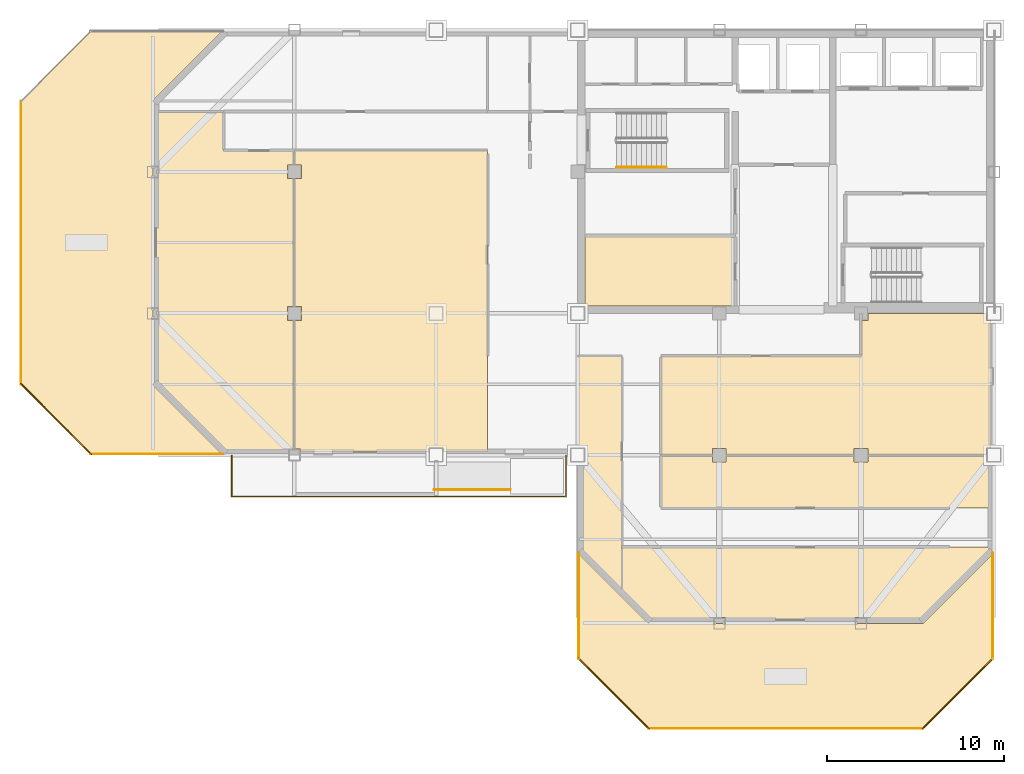
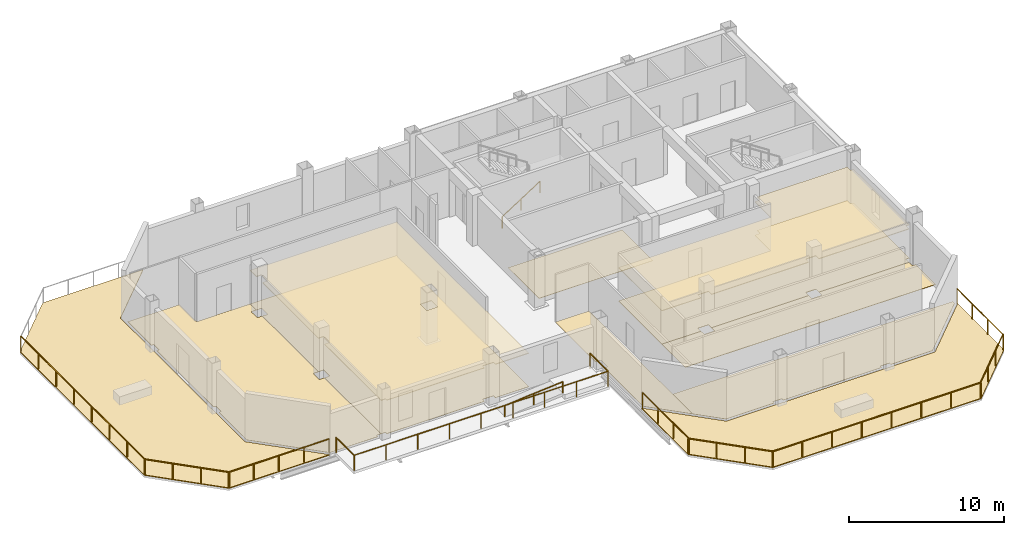
# One storey, part 5 of 8: 11 coverings, 11 railings.
"""IFC4 building model written with IfcOpenShell, lengths in metres."""

from ifc_helpers import new_model, si_unit, direction, frame, origin, origin_2d, place, context, subcontext, project, spatial, polyline, circle, outline, extrude, material, layer, layer_set, type_object, element, save


model = new_model("IFC4")

# Units and contexts
model_context = context("Model", 3, precision=1e-05, world=origin(), true_north=direction((0.0, 1.0)))
body_context = subcontext(model_context, "Body", "Model", "MODEL_VIEW")
ifc_project = project(units=[si_unit("LENGTHUNIT", "METRE"), si_unit("AREAUNIT", "SQUARE_METRE"), si_unit("VOLUMEUNIT", "CUBIC_METRE"), si_unit("PLANEANGLEUNIT", "RADIAN"), si_unit("MASSUNIT", "GRAM", prefix="KILO")], contexts=[model_context])

# Site, building, storey
site_placement = place(None, origin())
site = spatial("IfcSite", under=ifc_project, at=site_placement, CompositionType="ELEMENT")
building_placement = place(site_placement, origin())
building = spatial("IfcBuilding", under=site, at=building_placement, Name="Qianrong Seaharbour Tower", CompositionType="ELEMENT")
storey_placement = place(building_placement, frame((0.0, 0.0, 287.199951171875)))
storey = spatial("IfcBuildingStorey", under=building, at=storey_placement, Name="L69", CompositionType="ELEMENT", Elevation=287.199951171875)

# Coverings
ifc_material_1 = material(Name="Perforated acoustic gypsum ceiling board")
ifc_layer_1 = layer(ifc_material_1, 0.050048828125)
ifc_layer_set_1 = layer_set([ifc_layer_1], Name="Perforated acoustic gypsum ceiling board")
covering_type_1 = type_object("IfcCoveringType", Name="COV-CEIL-GYPSUM-50", PredefinedType="CEILING", material=ifc_layer_set_1)
covering_1_placement = place(storey_placement, frame((0.0, 0.0, 2.614990234375)))
element("IfcCovering", 1, at=covering_1_placement, inside=storey, type_object=covering_type_1, Name="L69 Project Library 2 Acoustic Ceiling", PredefinedType="CEILING", context=body_context, shape_type="SweptSolid", body=[
    extrude(outline(polyline([(32.909912109375, 28.1650390625), (32.909912109375, 28.409912109375), (32.090087890625, 28.409912109375), (32.090087890625, 28.1650390625), (24.8349609375, 28.1650390625), (24.8349609375, 28.3349609375), (24.5, 28.3349609375), (24.5, 35.614990234375), (24.885009765625, 35.614990234375), (24.885009765625, 36.385009765625), (24.5, 36.385009765625), (24.5, 43.614990234375), (24.885009765625, 43.614990234375), (24.885009765625, 44.385009765625), (24.5, 44.385009765625), (24.5, 45.199951171875), (35.39990234375, 45.199951171875), (35.39990234375, 28.1650390625), (32.909912109375, 28.1650390625)]), holes=[polyline([(32.909912109375, 35.590087890625), (32.909912109375, 36.409912109375), (32.090087890625, 36.409912109375), (32.090087890625, 35.590087890625), (32.909912109375, 35.590087890625)])]), origin(), (0.0, 0.0, 1.0), 0.050048828125),
])
covering_2_placement = place(storey_placement, frame((0.0, 0.0, 2.614990234375)))
element("IfcCovering", 2, at=covering_2_placement, inside=storey, type_object=covering_type_1, Name="L69 Executive Briefing Salon 2 Acoustic Ceiling", PredefinedType="CEILING", context=body_context, shape_type="SweptSolid", body=[
    extrude(outline(polyline([(56.5, 33.60009765625), (56.5, 35.614990234375), (56.885009765625, 35.614990234375), (56.885009765625, 36.0), (63.590087890625, 36.0), (63.590087890625, 35.590087890625), (63.8349609375, 35.590087890625), (63.8349609375, 28.409912109375), (63.590087890625, 28.409912109375), (63.590087890625, 28.0), (56.885009765625, 28.0), (56.885009765625, 28.385009765625), (56.114990234375, 28.385009765625), (56.114990234375, 28.0), (48.885009765625, 28.0), (48.885009765625, 28.385009765625), (48.114990234375, 28.385009765625), (48.114990234375, 28.0), (45.199951171875, 28.0), (45.199951171875, 33.60009765625), (56.5, 33.60009765625)])), origin(), (0.0, 0.0, 1.0), 0.050048828125),
])
ifc_material_2 = material(Name="Acoustic modular carpet tile flooring")
ifc_layer_2 = layer(ifc_material_2, 0.02001953125)
ifc_layer_set_2 = layer_set([ifc_layer_2], Name="Acoustic modular carpet tile flooring")
covering_type_2 = type_object("IfcCoveringType", Name="COV-FLOOR-CARPET-20", PredefinedType="FLOORING", material=ifc_layer_set_2)
covering_3_placement = place(storey_placement, origin())
element("IfcCovering", 3, at=covering_3_placement, inside=storey, type_object=covering_type_2, Name="L69 Corporate Archive Room Finish Flooring", PredefinedType="FLOORING", context=body_context, shape_type="SweptSolid", body=[
    extrude(outline(polyline([(49.39990234375, 40.39990234375), (49.39990234375, 36.419921875), (40.919921875, 36.419921875), (40.919921875, 40.39990234375), (49.39990234375, 40.39990234375)])), origin(), (0.0, 0.0, 1.0), 0.02001953125),
])
covering_4_placement = place(storey_placement, origin())
element("IfcCovering", 4, at=covering_4_placement, inside=storey, type_object=covering_type_2, Name="L69 Harbour Panorama Boardroom 1 Finish Flooring", PredefinedType="FLOORING", context=body_context, shape_type="SweptSolid", body=[
    extrude(outline(polyline([(20.568359375, 28.1650390625), (16.6650390625, 32.068359375), (16.6650390625, 35.6650390625), (16.8349609375, 35.6650390625), (16.8349609375, 36.3349609375), (16.6650390625, 36.3349609375), (16.6650390625, 43.6650390625), (16.8349609375, 43.6650390625), (16.8349609375, 44.3349609375), (16.6650390625, 44.3349609375), (16.6650390625, 47.39990234375), (20.5, 47.39990234375), (20.5, 45.199951171875), (24.5, 45.199951171875), (24.5, 44.385009765625), (24.114990234375, 44.385009765625), (24.114990234375, 43.614990234375), (24.5, 43.614990234375), (24.5, 36.385009765625), (24.114990234375, 36.385009765625), (24.114990234375, 35.614990234375), (24.5, 35.614990234375), (24.5, 28.3349609375), (24.1650390625, 28.3349609375), (24.1650390625, 28.1650390625), (20.568359375, 28.1650390625)])), origin(), (0.0, 0.0, 1.0), 0.02001953125),
])
covering_5_placement = place(storey_placement, origin())
element("IfcCovering", 5, at=covering_5_placement, inside=storey, type_object=covering_type_2, Name="L69 Project Library 2 Finish Flooring", PredefinedType="FLOORING", context=body_context, shape_type="SweptSolid", body=[
    extrude(outline(polyline([(32.909912109375, 28.1650390625), (32.909912109375, 28.409912109375), (32.090087890625, 28.409912109375), (32.090087890625, 28.1650390625), (24.8349609375, 28.1650390625), (24.8349609375, 28.3349609375), (24.5, 28.3349609375), (24.5, 35.614990234375), (24.885009765625, 35.614990234375), (24.885009765625, 36.385009765625), (24.5, 36.385009765625), (24.5, 43.614990234375), (24.885009765625, 43.614990234375), (24.885009765625, 44.385009765625), (24.5, 44.385009765625), (24.5, 45.199951171875), (35.39990234375, 45.199951171875), (35.39990234375, 28.1650390625), (32.909912109375, 28.1650390625)])), origin(), (0.0, 0.0, 1.0), 0.02001953125),
])
covering_6_placement = place(storey_placement, origin())
element("IfcCovering", 6, at=covering_6_placement, inside=storey, type_object=covering_type_2, Name="L69 Wet Pantry Finish Flooring", PredefinedType="FLOORING", context=body_context, shape_type="SweptSolid", body=[
    extrude(outline(polyline([(43.0, 20.2333984375), (40.6650390625, 22.568359375), (40.6650390625, 27.590087890625), (40.909912109375, 27.590087890625), (40.909912109375, 28.409912109375), (40.5, 28.409912109375), (40.5, 33.60009765625), (43.0, 33.60009765625), (43.0, 20.2333984375)])), origin(), (0.0, 0.0, 1.0), 0.02001953125),
])
covering_7_placement = place(storey_placement, origin())
element("IfcCovering", 7, at=covering_7_placement, inside=storey, type_object=covering_type_2, Name="L69 Skyline Observation Lounge Finish Flooring", PredefinedType="FLOORING", context=body_context, shape_type="SweptSolid", body=[
    extrude(outline(polyline([(63.8349609375, 22.568359375), (59.931640625, 18.6650390625), (56.8349609375, 18.6650390625), (56.8349609375, 18.8349609375), (56.1650390625, 18.8349609375), (56.1650390625, 18.6650390625), (48.8349609375, 18.6650390625), (48.8349609375, 18.8349609375), (48.1650390625, 18.8349609375), (48.1650390625, 18.6650390625), (44.568359375, 18.6650390625), (43.0, 20.2333984375), (43.0, 22.800048828125), (63.8349609375, 22.800048828125), (63.8349609375, 22.568359375)])), origin(), (0.0, 0.0, 1.0), 0.02001953125),
])
ifc_material_3 = material(Name="Honed granite stone flooring", Category="masonry")
ifc_layer_3 = layer(ifc_material_3, 0.030029296875)
ifc_layer_set_3 = layer_set([ifc_layer_3], Name="Honed granite stone flooring")
covering_type_3 = type_object("IfcCoveringType", Name="COV-FLOOR-GRANITE-30", PredefinedType="FLOORING", material=ifc_layer_set_3)
covering_8_placement = place(storey_placement, origin())
element("IfcCovering", 8, at=covering_8_placement, inside=storey, type_object=covering_type_3, Name="L69 Harbour View Dining Bistro 1 Finish Flooring", PredefinedType="FLOORING", context=body_context, shape_type="SweptSolid", body=[
    extrude(outline(polyline([(48.114990234375, 28.0), (48.114990234375, 27.614990234375), (48.885009765625, 27.614990234375), (48.885009765625, 28.0), (56.114990234375, 28.0), (56.114990234375, 27.614990234375), (56.885009765625, 27.614990234375), (56.885009765625, 28.0), (63.590087890625, 28.0), (63.590087890625, 27.590087890625), (63.8349609375, 27.590087890625), (63.8349609375, 25.0), (45.199951171875, 25.0), (45.199951171875, 28.0), (48.114990234375, 28.0)])), origin(), (0.0, 0.0, 1.0), 0.030029296875),
])
covering_9_placement = place(storey_placement, origin())
element("IfcCovering", 9, at=covering_9_placement, inside=storey, type_object=covering_type_3, Name="L69 Executive Briefing Salon 2 Finish Flooring", PredefinedType="FLOORING", context=body_context, shape_type="SweptSolid", body=[
    extrude(outline(polyline([(56.5, 33.60009765625), (56.5, 35.614990234375), (56.885009765625, 35.614990234375), (56.885009765625, 36.0), (63.590087890625, 36.0), (63.590087890625, 35.590087890625), (63.8349609375, 35.590087890625), (63.8349609375, 28.409912109375), (63.590087890625, 28.409912109375), (63.590087890625, 28.0), (56.885009765625, 28.0), (56.885009765625, 28.385009765625), (56.114990234375, 28.385009765625), (56.114990234375, 28.0), (48.885009765625, 28.0), (48.885009765625, 28.385009765625), (48.114990234375, 28.385009765625), (48.114990234375, 28.0), (45.199951171875, 28.0), (45.199951171875, 33.60009765625), (56.5, 33.60009765625)])), origin(), (0.0, 0.0, 1.0), 0.030029296875),
])
ifc_material_4 = material(Name="Elastomeric waterproofing membrane and extruded polystyrene insulation")
ifc_layer_4 = layer(ifc_material_4, 0.06005859375)
ifc_layer_set_4 = layer_set([ifc_layer_4], Name="Elastomeric waterproofing membrane and extruded polystyrene insulation")
covering_type_4 = type_object("IfcCoveringType", Name="COV-ROOF-MEMBRANE-60", PredefinedType="ROOFING", material=ifc_layer_set_4)
covering_10_placement = place(storey_placement, frame((0.0, 0.0, -0.06005859375)))
element("IfcCovering", 10, at=covering_10_placement, inside=storey, type_object=covering_type_4, Name="L69 Sky Garden Waterproofing Membrane 5", PredefinedType="ROOFING", context=body_context, shape_type="SweptSolid", body=[
    extrude(outline(polyline([(9.0, 32.0), (9.0, 48.0), (13.0, 52.0), (20.4716796875, 52.0), (16.48583984375, 48.01416015625), (16.484619140625, 48.0126953125), (16.4833984375, 48.010986328125), (16.482421875, 48.009521484375), (16.4814453125, 48.0078125), (16.48095703125, 48.005859375), (16.48046875, 48.00390625), (16.47998046875, 48.001953125), (16.47998046875, 48.0), (16.47998046875, 32.0), (16.47998046875, 31.998046875), (16.48046875, 31.99609375), (16.48095703125, 31.994140625), (16.4814453125, 31.9921875), (16.482421875, 31.990478515625), (16.4833984375, 31.989013671875), (16.484619140625, 31.9873046875), (16.48583984375, 31.98583984375), (20.4716796875, 28.0), (13.0, 28.0), (9.0, 32.0)])), origin(), (0.0, 0.0, 1.0), 0.06005859375),
])
covering_11_placement = place(storey_placement, frame((0.0, 0.0, -0.06005859375)))
element("IfcCovering", 11, at=covering_11_placement, inside=storey, type_object=covering_type_4, Name="L69 Sky Garden Waterproofing Membrane 6", PredefinedType="ROOFING", context=body_context, shape_type="SweptSolid", body=[
    extrude(outline(polyline([(60.0, 12.5), (44.5, 12.5), (40.5, 16.5), (40.5, 22.4716796875), (44.48583984375, 18.48583984375), (44.4873046875, 18.484619140625), (44.489013671875, 18.4833984375), (44.490478515625, 18.482421875), (44.4921875, 18.4814453125), (44.494140625, 18.48095703125), (44.49609375, 18.48046875), (44.498046875, 18.47998046875), (44.5, 18.47998046875), (60.0, 18.47998046875), (60.001953125, 18.47998046875), (60.00390625, 18.48046875), (60.005859375, 18.48095703125), (60.0078125, 18.4814453125), (60.009521484375, 18.482421875), (60.010986328125, 18.4833984375), (60.0126953125, 18.484619140625), (60.01416015625, 18.48583984375), (64.0, 22.4716796875), (64.0, 16.5), (60.0, 12.5)])), origin(), (0.0, 0.0, 1.0), 0.06005859375),
])

# Railings
ifc_material_5 = material(Name="Stainless steel SUS316L tubular handrail", Category="steel")
railing_type_1 = type_object("IfcRailingType", Name="RAIL-RAMP-HANDRAIL-900", PredefinedType="HANDRAIL", material=ifc_material_5)
railing_1_placement = place(storey_placement, frame((32.3798828125, 26.050048828125, 0.0)))
element("IfcRailing", 12, at=railing_1_placement, inside=storey, type_object=railing_type_1, Name="L69 Harbourfront Ribbon Ramp Handrail", PredefinedType="HANDRAIL", context=body_context, shape_type="SweptSolid", body=[
    extrude(circle(Radius=0.02392578125, at=origin_2d()), frame((0.0, 0.0, 0.8759765625), z_axis=(0.996543815979, 0.0, 0.083068783756), x_axis=(0.0, 1.0, 0.0)), (0.0, 0.0, 1.0), 4.3349609375),
    extrude(circle(Radius=0.02099609375, at=origin_2d()), origin(), (0.0, 0.0, 1.0), 0.851806640625),
    extrude(circle(Radius=0.02099609375, at=origin_2d()), frame((2.16015625, 0.0, 0.18017578125)), (0.0, 0.0, 1.0), 0.851806640625),
    extrude(circle(Radius=0.02099609375, at=origin_2d()), frame((4.320068359375, 0.0, 0.360107421875)), (0.0, 0.0, 1.0), 0.851806640625),
])
ifc_material_6 = material(Name="Stainless steel SUS316L continuous handrail", Category="steel")
railing_type_2 = type_object("IfcRailingType", Name="RAIL-STAIR-HANDRAIL-900", PredefinedType="HANDRAIL", material=ifc_material_6)
railing_2_placement = place(storey_placement, frame((42.699951171875, 44.25, 0.181884765625)))
element("IfcRailing", 13, at=railing_2_placement, inside=storey, type_object=railing_type_2, Name="L69 ST-1 stair handrail 1", PredefinedType="HANDRAIL", context=body_context, shape_type="SweptSolid", body=[
    extrude(circle(Radius=0.02392578125, at=origin_2d()), frame((0.0, 0.0, 0.8759765625), z_axis=(0.838705829183, 0.0, 0.544584733623), x_axis=(0.0, 1.0, 0.0)), (0.0, 0.0, 1.0), 3.338623046875),
    extrude(circle(Radius=0.02099609375, at=origin_2d()), origin(), (0.0, 0.0, 1.0), 0.851806640625),
    extrude(circle(Radius=0.02099609375, at=origin_2d()), frame((1.39990234375, 0.0, 0.9091796875)), (0.0, 0.0, 1.0), 0.851806640625),
    extrude(circle(Radius=0.02099609375, at=origin_2d()), frame((2.800048828125, 0.0, 1.818115234375)), (0.0, 0.0, 1.0), 0.851806640625),
])
ifc_material_7 = material(Name="Stainless steel SUS316L and laminated safety glass balustrade", Category="steel")
railing_type_3 = type_object("IfcRailingType", Name="RAIL-TERRACE-GUARD-1220", PredefinedType="GUARDRAIL", material=ifc_material_7)
railing_3_placement = place(storey_placement, frame((9.06005859375, 32.0, 0.0)))
element("IfcRailing", 14, at=railing_3_placement, inside=storey, type_object=railing_type_3, Name="L69 Sky Garden Perimeter Guardrail P5.1", PredefinedType="GUARDRAIL", context=body_context, shape_type="SweptSolid", body=[
    extrude(circle(Radius=0.02392578125, at=origin_2d()), frame((0.0, 0.0, 1.19580078125), z_axis=(0.0, 1.0, 0.0), x_axis=(-1.0, 0.0, 0.0)), (0.0, 0.0, 1.0), 16.0),
    extrude(circle(Radius=0.02099609375, at=origin_2d()), origin(), (0.0, 0.0, 1.0), 1.171875),
    extrude(circle(Radius=0.02099609375, at=origin_2d()), frame((0.0, 2.28564453125, 0.0)), (0.0, 0.0, 1.0), 1.171875),
    extrude(circle(Radius=0.02099609375, at=origin_2d()), frame((0.0, 4.571533203125, 0.0)), (0.0, 0.0, 1.0), 1.171875),
    extrude(circle(Radius=0.02099609375, at=origin_2d()), frame((0.0, 6.857177734375, 0.0)), (0.0, 0.0, 1.0), 1.171875),
    extrude(circle(Radius=0.02099609375, at=origin_2d()), frame((0.0, 9.142822265625, 0.0)), (0.0, 0.0, 1.0), 1.171875),
    extrude(circle(Radius=0.02099609375, at=origin_2d()), frame((0.0, 11.428466796875, 0.0)), (0.0, 0.0, 1.0), 1.171875),
    extrude(circle(Radius=0.02099609375, at=origin_2d()), frame((0.0, 13.71435546875, 0.0)), (0.0, 0.0, 1.0), 1.171875),
    extrude(circle(Radius=0.02099609375, at=origin_2d()), frame((0.0, 16.0, 0.0)), (0.0, 0.0, 1.0), 1.171875),
])
railing_4_placement = place(storey_placement, frame((20.4716796875, 28.06005859375, 0.0)))
element("IfcRailing", 15, at=railing_4_placement, inside=storey, type_object=railing_type_3, Name="L69 Sky Garden Perimeter Guardrail P5.23", PredefinedType="GUARDRAIL", context=body_context, shape_type="SweptSolid", body=[
    extrude(circle(Radius=0.02392578125, at=origin_2d()), frame((0.0, 0.0, 1.19580078125), z_axis=(-1.0, 0.0, 0.0), x_axis=(0.0, -1.0, 0.0)), (0.0, 0.0, 1.0), 7.4716796875),
    extrude(circle(Radius=0.02099609375, at=origin_2d()), origin(), (0.0, 0.0, 1.0), 1.171875),
    extrude(circle(Radius=0.02099609375, at=origin_2d()), frame((-1.867919921875, 0.0, 0.0)), (0.0, 0.0, 1.0), 1.171875),
    extrude(circle(Radius=0.02099609375, at=origin_2d()), frame((-3.73583984375, 0.0, 0.0)), (0.0, 0.0, 1.0), 1.171875),
    extrude(circle(Radius=0.02099609375, at=origin_2d()), frame((-5.603759765625, 0.0, 0.0)), (0.0, 0.0, 1.0), 1.171875),
    extrude(circle(Radius=0.02099609375, at=origin_2d()), frame((-7.4716796875, 0.0, 0.0)), (0.0, 0.0, 1.0), 1.171875),
])
railing_5_placement = place(storey_placement, frame((13.04248046875, 28.04248046875, 0.0)))
element("IfcRailing", 16, at=railing_5_placement, inside=storey, type_object=railing_type_3, Name="L69 Sky Garden Perimeter Guardrail P5.24", PredefinedType="GUARDRAIL", context=body_context, shape_type="SweptSolid", body=[
    extrude(circle(Radius=0.02392578125, at=origin_2d()), frame((0.0, 0.0, 1.19580078125), z_axis=(-0.707106781187, 0.707106781187, 0.0), x_axis=(-0.707106781187, -0.707106781187, 0.0)), (0.0, 0.0, 1.0), 5.65673828125),
    extrude(circle(Radius=0.02099609375, at=origin_2d()), origin(), (0.0, 0.0, 1.0), 1.171875),
    extrude(circle(Radius=0.02099609375, at=origin_2d()), frame((-1.333251953125, 1.333251953125, 0.0)), (0.0, 0.0, 1.0), 1.171875),
    extrude(circle(Radius=0.02099609375, at=origin_2d()), frame((-2.666748046875, 2.666748046875, 0.0)), (0.0, 0.0, 1.0), 1.171875),
    extrude(circle(Radius=0.02099609375, at=origin_2d()), frame((-4.0, 4.0, 0.0)), (0.0, 0.0, 1.0), 1.171875),
])
railing_6_placement = place(storey_placement, frame((60.0, 12.56005859375, 0.0)))
element("IfcRailing", 17, at=railing_6_placement, inside=storey, type_object=railing_type_3, Name="L69 Sky Garden Perimeter Guardrail P6.1", PredefinedType="GUARDRAIL", context=body_context, shape_type="SweptSolid", body=[
    extrude(circle(Radius=0.02392578125, at=origin_2d()), frame((0.0, 0.0, 1.19580078125), z_axis=(-1.0, 0.0, 0.0), x_axis=(0.0, -1.0, 0.0)), (0.0, 0.0, 1.0), 15.5),
    extrude(circle(Radius=0.02099609375, at=origin_2d()), origin(), (0.0, 0.0, 1.0), 1.171875),
    extrude(circle(Radius=0.02099609375, at=origin_2d()), frame((-2.21435546875, 0.0, 0.0)), (0.0, 0.0, 1.0), 1.171875),
    extrude(circle(Radius=0.02099609375, at=origin_2d()), frame((-4.428466796875, 0.0, 0.0)), (0.0, 0.0, 1.0), 1.171875),
    extrude(circle(Radius=0.02099609375, at=origin_2d()), frame((-6.642822265625, 0.0, 0.0)), (0.0, 0.0, 1.0), 1.171875),
    extrude(circle(Radius=0.02099609375, at=origin_2d()), frame((-8.857177734375, 0.0, 0.0)), (0.0, 0.0, 1.0), 1.171875),
    extrude(circle(Radius=0.02099609375, at=origin_2d()), frame((-11.071533203125, 0.0, 0.0)), (0.0, 0.0, 1.0), 1.171875),
    extrude(circle(Radius=0.02099609375, at=origin_2d()), frame((-13.28564453125, 0.0, 0.0)), (0.0, 0.0, 1.0), 1.171875),
    extrude(circle(Radius=0.02099609375, at=origin_2d()), frame((-15.5, 0.0, 0.0)), (0.0, 0.0, 1.0), 1.171875),
])
railing_7_placement = place(storey_placement, frame((44.54248046875, 12.54248046875, 0.0)))
element("IfcRailing", 18, at=railing_7_placement, inside=storey, type_object=railing_type_3, Name="L69 Sky Garden Perimeter Guardrail P6.2", PredefinedType="GUARDRAIL", context=body_context, shape_type="SweptSolid", body=[
    extrude(circle(Radius=0.02392578125, at=origin_2d()), frame((0.0, 0.0, 1.19580078125), z_axis=(-0.707106781187, 0.707106781187, 0.0), x_axis=(-0.707106781187, -0.707106781187, 0.0)), (0.0, 0.0, 1.0), 5.65673828125),
    extrude(circle(Radius=0.02099609375, at=origin_2d()), origin(), (0.0, 0.0, 1.0), 1.171875),
    extrude(circle(Radius=0.02099609375, at=origin_2d()), frame((-1.333251953125, 1.333251953125, 0.0)), (0.0, 0.0, 1.0), 1.171875),
    extrude(circle(Radius=0.02099609375, at=origin_2d()), frame((-2.666748046875, 2.666748046875, 0.0)), (0.0, 0.0, 1.0), 1.171875),
    extrude(circle(Radius=0.02099609375, at=origin_2d()), frame((-4.0, 4.0, 0.0)), (0.0, 0.0, 1.0), 1.171875),
])
railing_8_placement = place(storey_placement, frame((40.56005859375, 16.5, 0.0)))
element("IfcRailing", 19, at=railing_8_placement, inside=storey, type_object=railing_type_3, Name="L69 Sky Garden Perimeter Guardrail P6.3", PredefinedType="GUARDRAIL", context=body_context, shape_type="SweptSolid", body=[
    extrude(circle(Radius=0.02392578125, at=origin_2d()), frame((0.0, 0.0, 1.19580078125), z_axis=(0.0, 1.0, 0.0), x_axis=(-1.0, 0.0, 0.0)), (0.0, 0.0, 1.0), 5.9716796875),
    extrude(circle(Radius=0.02099609375, at=origin_2d()), origin(), (0.0, 0.0, 1.0), 1.171875),
    extrude(circle(Radius=0.02099609375, at=origin_2d()), frame((0.0, 1.990478515625, 0.0)), (0.0, 0.0, 1.0), 1.171875),
    extrude(circle(Radius=0.02099609375, at=origin_2d()), frame((0.0, 3.981201171875, 0.0)), (0.0, 0.0, 1.0), 1.171875),
    extrude(circle(Radius=0.02099609375, at=origin_2d()), frame((0.0, 5.9716796875, 0.0)), (0.0, 0.0, 1.0), 1.171875),
])
railing_9_placement = place(storey_placement, frame((63.93994140625, 22.4716796875, 0.0)))
element("IfcRailing", 20, at=railing_9_placement, inside=storey, type_object=railing_type_3, Name="L69 Sky Garden Perimeter Guardrail P6.23", PredefinedType="GUARDRAIL", context=body_context, shape_type="SweptSolid", body=[
    extrude(circle(Radius=0.02392578125, at=origin_2d()), frame((0.0, 0.0, 1.19580078125), z_axis=(0.0, -1.0, 0.0), x_axis=(1.0, 0.0, 0.0)), (0.0, 0.0, 1.0), 5.9716796875),
    extrude(circle(Radius=0.02099609375, at=origin_2d()), origin(), (0.0, 0.0, 1.0), 1.171875),
    extrude(circle(Radius=0.02099609375, at=origin_2d()), frame((0.0, -1.990478515625, 0.0)), (0.0, 0.0, 1.0), 1.171875),
    extrude(circle(Radius=0.02099609375, at=origin_2d()), frame((0.0, -3.981201171875, 0.0)), (0.0, 0.0, 1.0), 1.171875),
    extrude(circle(Radius=0.02099609375, at=origin_2d()), frame((0.0, -5.9716796875, 0.0)), (0.0, 0.0, 1.0), 1.171875),
])
railing_10_placement = place(storey_placement, frame((63.95751953125, 16.54248046875, 0.0)))
element("IfcRailing", 21, at=railing_10_placement, inside=storey, type_object=railing_type_3, Name="L69 Sky Garden Perimeter Guardrail P6.24", PredefinedType="GUARDRAIL", context=body_context, shape_type="SweptSolid", body=[
    extrude(circle(Radius=0.02392578125, at=origin_2d()), frame((0.0, 0.0, 1.19580078125), z_axis=(-0.707106781187, -0.707106781187, 0.0), x_axis=(0.707106781187, -0.707106781187, 0.0)), (0.0, 0.0, 1.0), 5.65673828125),
    extrude(circle(Radius=0.02099609375, at=origin_2d()), origin(), (0.0, 0.0, 1.0), 1.171875),
    extrude(circle(Radius=0.02099609375, at=origin_2d()), frame((-1.333251953125, -1.333251953125, 0.0)), (0.0, 0.0, 1.0), 1.171875),
    extrude(circle(Radius=0.02099609375, at=origin_2d()), frame((-2.666748046875, -2.666748046875, 0.0)), (0.0, 0.0, 1.0), 1.171875),
    extrude(circle(Radius=0.02099609375, at=origin_2d()), frame((-4.0, -4.0, 0.0)), (0.0, 0.0, 1.0), 1.171875),
])
railing_11_placement = place(storey_placement, frame((20.9599609375, 27.97998046875, 0.0)))
element("IfcRailing", 22, at=railing_11_placement, inside=storey, type_object=railing_type_3, Name="L69 Harbourfront Ribbon Gallery Guardrail", PredefinedType="GUARDRAIL", context=body_context, shape_type="SweptSolid", body=[
    extrude(circle(Radius=0.02392578125, at=origin_2d()), frame((0.0, 0.0, 1.19580078125), z_axis=(0.0, -1.0, 0.0), x_axis=(1.0, 0.0, 0.0)), (0.0, 0.0, 1.0), 2.320068359375),
    extrude(circle(Radius=0.02392578125, at=origin_2d()), frame((0.0, -2.320068359375, 1.19580078125), z_axis=(1.0, 0.0, 0.0), x_axis=(0.0, 1.0, 0.0)), (0.0, 0.0, 1.0), 18.880126953125),
    extrude(circle(Radius=0.02392578125, at=origin_2d()), frame((18.880126953125, -2.320068359375, 1.19580078125), z_axis=(0.0, 1.0, 0.0), x_axis=(-1.0, 0.0, 0.0)), (0.0, 0.0, 1.0), 2.320068359375),
    extrude(circle(Radius=0.02099609375, at=origin_2d()), origin(), (0.0, 0.0, 1.0), 1.171875),
    extrude(circle(Radius=0.02099609375, at=origin_2d()), frame((0.0, -2.320068359375, 0.0)), (0.0, 0.0, 1.0), 1.171875),
    extrude(circle(Radius=0.02099609375, at=origin_2d()), frame((2.360107421875, -2.320068359375, 0.0)), (0.0, 0.0, 1.0), 1.171875),
    extrude(circle(Radius=0.02099609375, at=origin_2d()), frame((4.719970703125, -2.320068359375, 0.0)), (0.0, 0.0, 1.0), 1.171875),
    extrude(circle(Radius=0.02099609375, at=origin_2d()), frame((7.080078125, -2.320068359375, 0.0)), (0.0, 0.0, 1.0), 1.171875),
    extrude(circle(Radius=0.02099609375, at=origin_2d()), frame((9.43994140625, -2.320068359375, 0.0)), (0.0, 0.0, 1.0), 1.171875),
    extrude(circle(Radius=0.02099609375, at=origin_2d()), frame((11.800048828125, -2.320068359375, 0.0)), (0.0, 0.0, 1.0), 1.171875),
    extrude(circle(Radius=0.02099609375, at=origin_2d()), frame((14.16015625, -2.320068359375, 0.0)), (0.0, 0.0, 1.0), 1.171875),
    extrude(circle(Radius=0.02099609375, at=origin_2d()), frame((16.52001953125, -2.320068359375, 0.0)), (0.0, 0.0, 1.0), 1.171875),
    extrude(circle(Radius=0.02099609375, at=origin_2d()), frame((18.880126953125, -2.320068359375, 0.0)), (0.0, 0.0, 1.0), 1.171875),
    extrude(circle(Radius=0.02099609375, at=origin_2d()), frame((18.880126953125, 0.0, 0.0)), (0.0, 0.0, 1.0), 1.171875),
])

save(model, "model.ifc")
